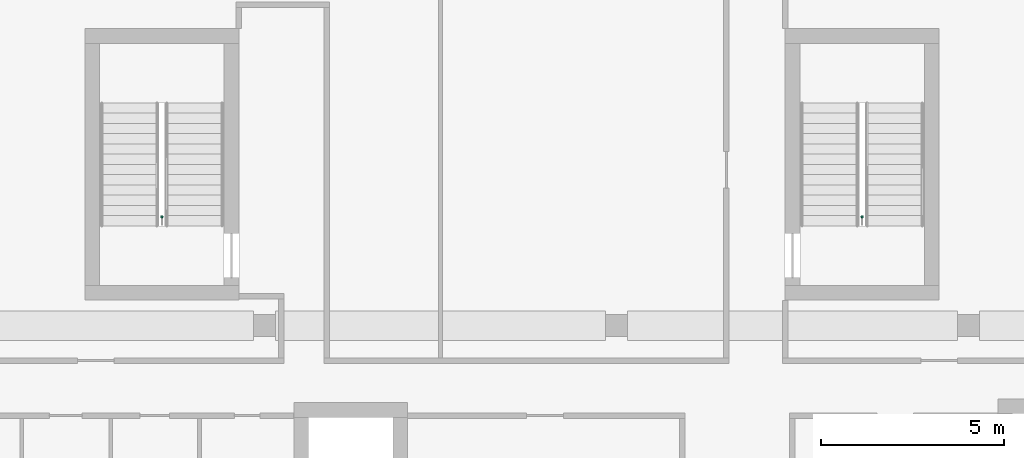
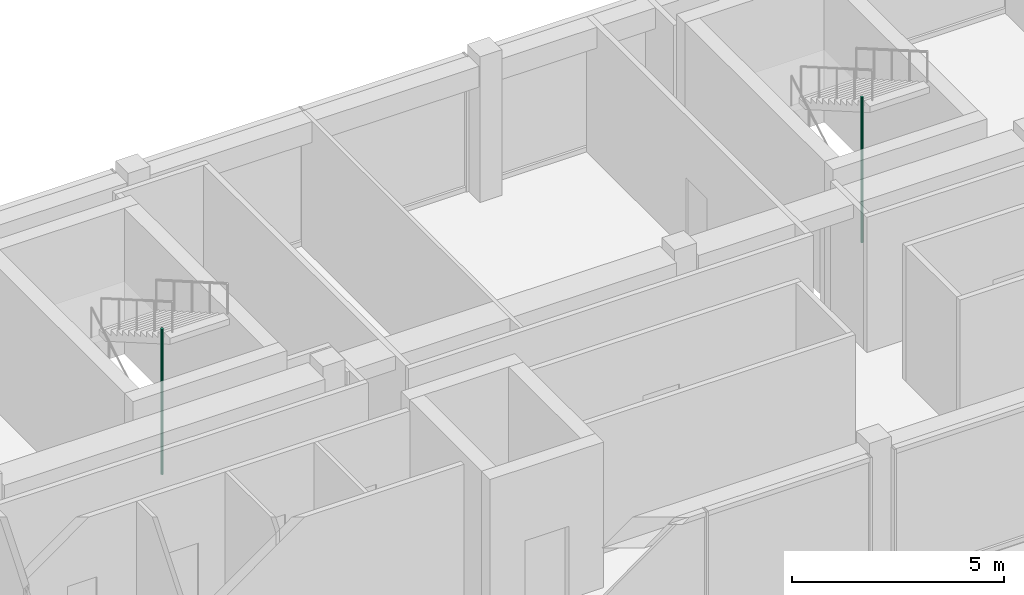
# One storey, part 26 of 28: 2 pipe segments.
"""IFC4 building model written with IfcOpenShell, lengths in metres."""

from ifc_helpers import new_model, si_unit, direction, frame, origin, origin_2d, place, context, subcontext, project, spatial, circle, extrude, element, save


model = new_model("IFC4")

# Units and contexts
model_context = context("Model", 3, precision=1e-05, world=origin(), true_north=direction((0.0, 1.0)))
body_context = subcontext(model_context, "Body", "Model", "MODEL_VIEW")
ifc_project = project(units=[si_unit("LENGTHUNIT", "METRE"), si_unit("AREAUNIT", "SQUARE_METRE"), si_unit("VOLUMEUNIT", "CUBIC_METRE"), si_unit("PLANEANGLEUNIT", "RADIAN"), si_unit("MASSUNIT", "GRAM", prefix="KILO")], contexts=[model_context])

# Site, building, storey
site_placement = place(None, origin())
site = spatial("IfcSite", under=ifc_project, at=site_placement, CompositionType="ELEMENT")
building_placement = place(site_placement, origin())
building = spatial("IfcBuilding", under=site, at=building_placement, Name="Nzadi Deep Aquarium and Research Tower", CompositionType="ELEMENT")
storey_placement = place(building_placement, frame((0.0, 0.0, 73.89990234375)))
storey = spatial("IfcBuildingStorey", under=building, at=storey_placement, Name="L15", CompositionType="ELEMENT", Elevation=73.89990234375)

# Pipe segments
for number, where, z_axis, x_axis, name in (
    (1, (6.800048828125, 39.77001953125, 0.0), (0.0, 0.0, 1.0), (1.0, 0.0, 0.0), "Dry riser ST-Z1-NW L15"),
    (2, (25.89990234375, 39.77001953125, 0.0), (0.0, 0.0, 1.0), (1.0, 0.0, 0.0), "Dry riser ST-Z1-NE L15"),
):
    element("IfcPipeSegment", number, at=place(storey_placement, frame(where, z_axis=z_axis, x_axis=x_axis)), inside=storey, Name=name, PredefinedType="RIGIDSEGMENT", context=body_context, shape_type="SweptSolid", body=[
        extrude(circle(Radius=0.034912109375, at=origin_2d()), origin(), (0.0, 0.0, 1.0), 4.2001953125),
    ])

save(model, "model.ifc")
